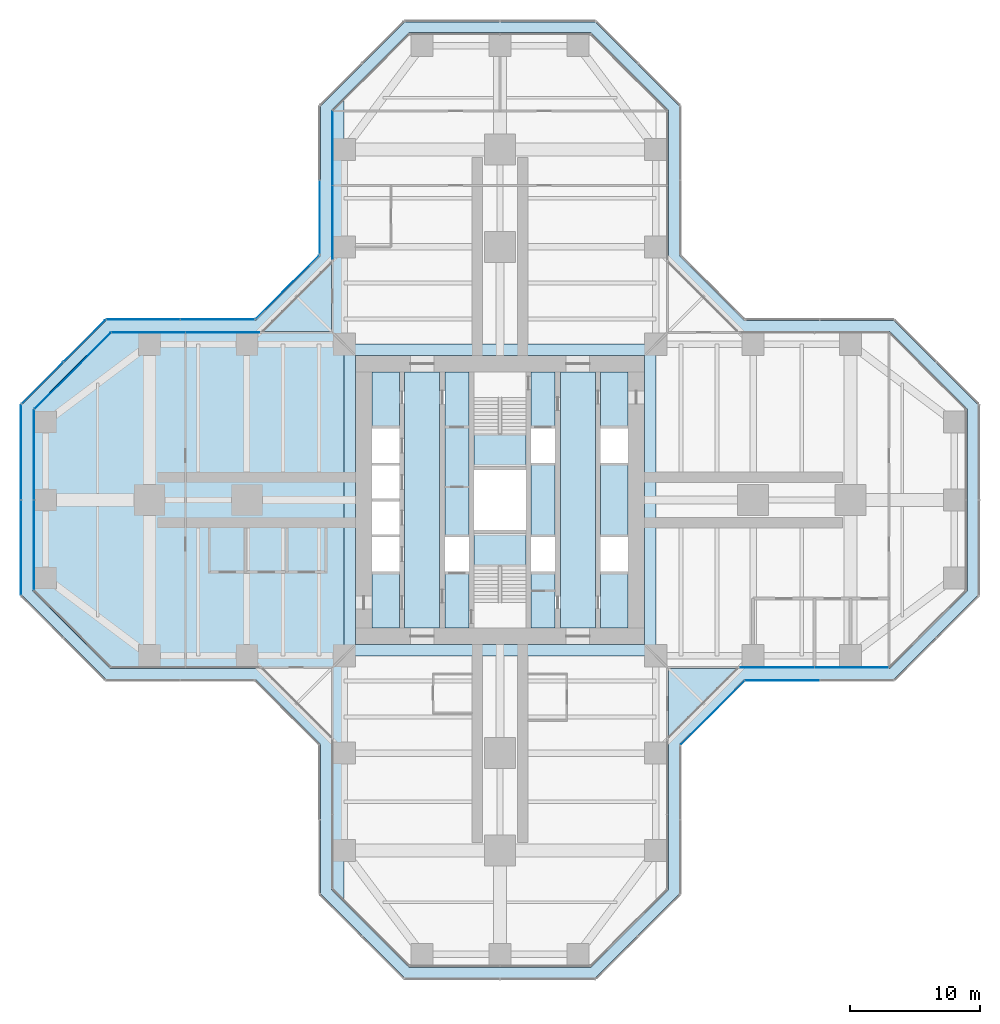
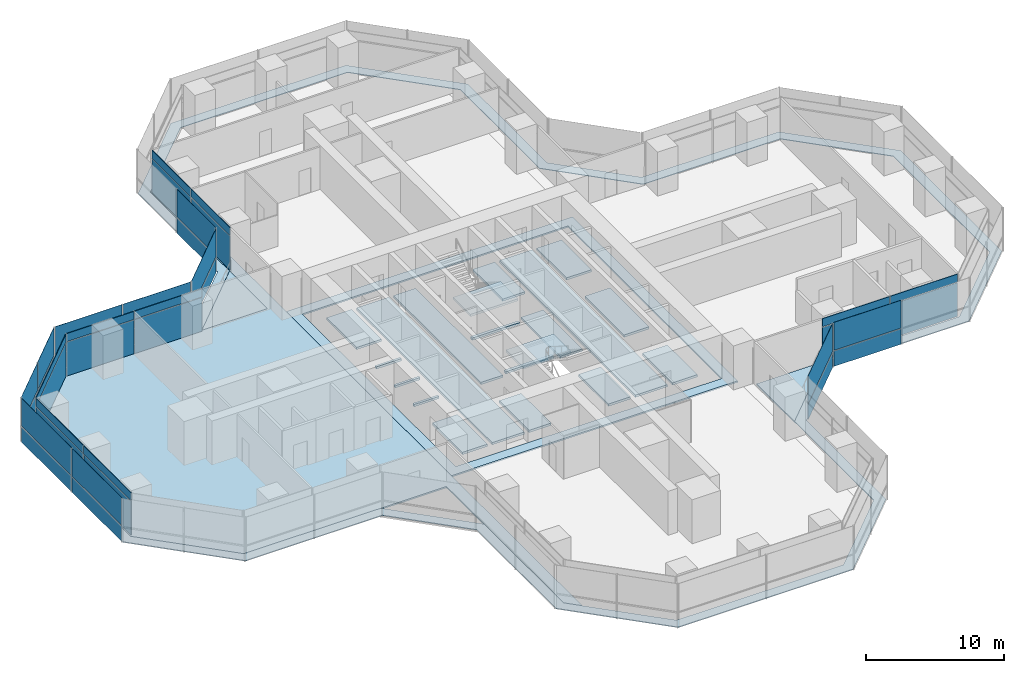
# One storey, part 15 of 22: 39 plates, 7 slabs, 14 elements without a shape of their own.
"""IFC4 building model written with IfcOpenShell, lengths in metres."""

from ifc_helpers import new_model, si_unit, direction, frame, origin, origin_2d, place, context, subcontext, project, spatial, polyline, rectangle, outline, extrude, material, layer, layer_set, type_object, element, aggregate, save


model = new_model("IFC4")

# Units and contexts
model_context = context("Model", 3, precision=1e-05, world=origin(), true_north=direction((0.0, 1.0)))
body_context = subcontext(model_context, "Body", "Model", "MODEL_VIEW")
ifc_project = project(units=[si_unit("LENGTHUNIT", "METRE"), si_unit("AREAUNIT", "SQUARE_METRE"), si_unit("VOLUMEUNIT", "CUBIC_METRE"), si_unit("PLANEANGLEUNIT", "RADIAN"), si_unit("MASSUNIT", "GRAM", prefix="KILO")], contexts=[model_context])

# Site, building, storey
site_placement = place(None, origin())
site = spatial("IfcSite", under=ifc_project, at=site_placement, CompositionType="ELEMENT")
building_placement = place(site_placement, origin())
building = spatial("IfcBuilding", under=site, at=building_placement, Name="Mizan Broadcast Tower", CompositionType="ELEMENT")
storey_placement = place(building_placement, frame((0.0, 0.0, 51.300048828125)))
storey = spatial("IfcBuildingStorey", under=building, at=storey_placement, Name="L09", CompositionType="ELEMENT", Elevation=51.300048828125)

# Plate
ifc_material_1 = material(Name="Aluminium grating", Category="aluminium")
ifc_layer_1 = layer(ifc_material_1, 0.050048828125)
ifc_layer_set_1 = layer_set([ifc_layer_1], Name="Aluminium grating")
plate_type_1 = type_object("IfcPlateType", Name="CAVITY GRATING", PredefinedType="USERDEFINED", material=ifc_layer_set_1)
plate_1_placement = place(storey_placement, frame((0.0, 0.0, -0.050048828125)))
element("IfcPlate", 1, at=plate_1_placement, inside=storey, type_object=plate_type_1, Name="Cavity grating L09", ObjectType="GRATING", PredefinedType="USERDEFINED", context=body_context, shape_type="SweptSolid", body=[
    extrude(outline(polyline([(13.820068359375, -18.839599609375), (18.839599609375, -13.820068359375), (30.339599609375, -13.820068359375), (36.820068359375, -7.339599609375), (36.820068359375, 7.339599609375), (30.339599609375, 13.820068359375), (18.839599609375, 13.820068359375), (13.820068359375, 18.839599609375), (13.820068359375, 30.339599609375), (7.339599609375, 36.820068359375), (-7.339599609375, 36.820068359375), (-13.820068359375, 30.339599609375), (-13.820068359375, 18.839599609375), (-18.839599609375, 13.820068359375), (-30.339599609375, 13.820068359375), (-36.820068359375, 7.339599609375), (-36.820068359375, -7.339599609375), (-30.339599609375, -13.820068359375), (-18.839599609375, -13.820068359375), (-13.820068359375, -18.839599609375), (-13.820068359375, -30.339599609375), (-7.339599609375, -36.820068359375), (7.339599609375, -36.820068359375), (13.820068359375, -30.339599609375), (13.820068359375, -18.839599609375)]), holes=[polyline([(36.0, 7.0), (36.0, -7.0), (30.0, -13.0), (18.5, -13.0), (13.0, -18.5), (13.0, -30.0), (7.0, -36.0), (-7.0, -36.0), (-13.0, -30.0), (-13.0, -18.5), (-18.5, -13.0), (-30.0, -13.0), (-36.0, -7.0), (-36.0, 7.0), (-30.0, 13.0), (-18.5, 13.0), (-13.0, 18.5), (-13.0, 30.0), (-7.0, 36.0), (7.0, 36.0), (13.0, 30.0), (13.0, 18.5), (18.5, 13.0), (30.0, 13.0), (36.0, 7.0)])]), origin(), (0.0, 0.0, 1.0), 0.050048828125),
])

# Slabs
ifc_material_2 = material(Name="Concrete C32/40", Category="concrete")
ifc_layer_2 = layer(ifc_material_2, 0.1298828125)
ifc_layer_set_2 = layer_set([ifc_layer_2], Name="Concrete C32/40")
slab_type_1 = type_object("IfcSlabType", Name="COMPOSITE DECK SLAB 130", PredefinedType="FLOOR", material=ifc_layer_set_2)
slab_1_placement = place(storey_placement, frame((0.0, 0.0, -0.130126953125)))
element("IfcSlab", 2, at=slab_1_placement, inside=storey, type_object=slab_type_1, Name="Floor slab L09 centre", PredefinedType="FLOOR", context=body_context, shape_type="SweptSolid", body=[
    extrude(outline(polyline([(-12.0, -12.0), (12.0, -12.0), (12.0, 12.0), (-12.0, 12.0), (-12.0, -12.0)]), holes=[polyline([(-11.14990234375, 11.14990234375), (11.14990234375, 11.14990234375), (11.14990234375, -11.14990234375), (-11.14990234375, -11.14990234375), (-11.14990234375, 11.14990234375)])]), origin(), (0.0, 0.0, 1.0), 0.130126953125),
])
slab_2_placement = place(storey_placement, frame((0.0, 0.0, -0.130126953125)))
element("IfcSlab", 3, at=slab_2_placement, inside=storey, type_object=slab_type_1, Name="Floor slab L09 west arm", PredefinedType="FLOOR", context=body_context, shape_type="SweptSolid", body=[
    extrude(outline(polyline([(-13.0, -30.0), (-12.0, -31.0), (-12.0, 31.0), (-13.0, 30.0), (-13.0, 13.0), (-30.0, 13.0), (-36.0, 7.0), (-36.0, -7.0), (-30.0, -13.0), (-13.0, -13.0), (-13.0, -30.0)])), origin(), (0.0, 0.0, 1.0), 0.130126953125),
])
ifc_material_3 = material(Name="Concrete C40/50", Category="concrete")
ifc_layer_3 = layer(ifc_material_3, 0.199951171875)
ifc_layer_set_3 = layer_set([ifc_layer_3], Name="Concrete C40/50")
slab_type_2 = type_object("IfcSlabType", Name="CORE FLOOR 200", PredefinedType="FLOOR", material=ifc_layer_set_3)
slab_3_placement = place(storey_placement, frame((0.0, 0.0, -0.199951171875)))
element("IfcSlab", 4, at=slab_3_placement, inside=storey, type_object=slab_type_2, Name="Core floor L09", PredefinedType="FLOOR", context=body_context, shape_type="SweptSolid", body=[
    extrude(outline(polyline([(-9.85009765625, -9.85009765625), (-7.75, -9.85009765625), (-7.75, -5.5), (-9.85009765625, -5.5), (-9.85009765625, -9.85009765625)])), origin(), (0.0, 0.0, 1.0), 0.199951171875),
    extrude(outline(polyline([(-9.85009765625, -2.85009765625), (-7.75, -2.85009765625), (-7.75, -2.64990234375), (-9.85009765625, -2.64990234375), (-9.85009765625, -2.85009765625)])), origin(), (0.0, 0.0, 1.0), 0.199951171875),
    extrude(outline(polyline([(-9.85009765625, -0.10009765625), (-7.75, -0.10009765625), (-7.75, 0.10009765625), (-9.85009765625, 0.10009765625), (-9.85009765625, -0.10009765625)])), origin(), (0.0, 0.0, 1.0), 0.199951171875),
    extrude(outline(polyline([(-9.85009765625, 2.64990234375), (-7.75, 2.64990234375), (-7.75, 2.85009765625), (-9.85009765625, 2.85009765625), (-9.85009765625, 2.64990234375)])), origin(), (0.0, 0.0, 1.0), 0.199951171875),
    extrude(outline(polyline([(-9.85009765625, 5.5), (-7.75, 5.5), (-7.75, 9.85009765625), (-9.85009765625, 9.85009765625), (-9.85009765625, 5.5)])), origin(), (0.0, 0.0, 1.0), 0.199951171875),
    extrude(outline(polyline([(-4.64990234375, 9.85009765625), (-7.35009765625, 9.85009765625), (-7.35009765625, -9.85009765625), (-4.64990234375, -9.85009765625), (-4.64990234375, 9.85009765625)])), origin(), (0.0, 0.0, 1.0), 0.199951171875),
    extrude(outline(polyline([(-4.25, -5.5), (-4.25, -9.85009765625), (-2.39990234375, -9.85009765625), (-2.39990234375, -5.5), (-4.25, -5.5)])), origin(), (0.0, 0.0, 1.0), 0.199951171875),
    extrude(outline(polyline([(-4.25, -2.85009765625), (-2.39990234375, -2.85009765625), (-2.39990234375, 9.85009765625), (-4.25, 9.85009765625), (-4.25, -2.85009765625)])), origin(), (0.0, 0.0, 1.0), 0.199951171875),
    extrude(outline(polyline([(2.0, -2.324951171875), (-2.0, -2.324951171875), (-2.0, -2.574951171875), (2.0, -2.574951171875), (2.0, -2.324951171875)])), origin(), (0.0, 0.0, 1.0), 0.199951171875),
    extrude(outline(polyline([(2.0, 2.574951171875), (-2.0, 2.574951171875), (-2.0, 2.324951171875), (2.0, 2.324951171875), (2.0, 2.574951171875)])), origin(), (0.0, 0.0, 1.0), 0.199951171875),
    extrude(outline(polyline([(4.25, -9.85009765625), (4.25, -5.5), (2.39990234375, -5.5), (2.39990234375, -9.85009765625), (4.25, -9.85009765625)])), origin(), (0.0, 0.0, 1.0), 0.199951171875),
    extrude(outline(polyline([(4.25, -2.85009765625), (4.25, 2.85009765625), (2.39990234375, 2.85009765625), (2.39990234375, -2.85009765625), (4.25, -2.85009765625)])), origin(), (0.0, 0.0, 1.0), 0.199951171875),
    extrude(outline(polyline([(4.25, 5.5), (4.25, 9.85009765625), (2.39990234375, 9.85009765625), (2.39990234375, 5.5), (4.25, 5.5)])), origin(), (0.0, 0.0, 1.0), 0.199951171875),
    extrude(outline(polyline([(4.64990234375, 9.85009765625), (4.64990234375, -9.85009765625), (7.35009765625, -9.85009765625), (7.35009765625, 9.85009765625), (4.64990234375, 9.85009765625)])), origin(), (0.0, 0.0, 1.0), 0.199951171875),
    extrude(outline(polyline([(9.85009765625, -9.85009765625), (9.85009765625, -5.5), (7.75, -5.5), (7.75, -9.85009765625), (9.85009765625, -9.85009765625)])), origin(), (0.0, 0.0, 1.0), 0.199951171875),
    extrude(outline(polyline([(7.75, 2.85009765625), (7.75, -2.85009765625), (9.85009765625, -2.85009765625), (9.85009765625, 2.85009765625), (7.75, 2.85009765625)])), origin(), (0.0, 0.0, 1.0), 0.199951171875),
    extrude(outline(polyline([(9.85009765625, 5.5), (9.85009765625, 9.85009765625), (7.75, 9.85009765625), (7.75, 5.5), (9.85009765625, 5.5)])), origin(), (0.0, 0.0, 1.0), 0.199951171875),
])

# Curtain wall, plates
ifc_material_4 = material(Name="Aluminium framed glazing", Category="aluminium")
curtain_wall_type_1 = type_object("IfcCurtainWallType", Name="INNER SKIN LOW ZONE", PredefinedType="USERDEFINED", material=ifc_material_4)
curtain_wall_1_placement = place(storey_placement, origin())
curtain_wall_1 = element("IfcCurtainWall", 5, at=curtain_wall_1_placement, inside=storey, type_object=curtain_wall_type_1, Name="Inner skin low zone L09 E side", ObjectType="INNER SKIN LOW ZONE", PredefinedType="USERDEFINED")
ifc_material_5 = material(Name="Double glazing, clear low-e", Category="glass")
ifc_layer_4 = layer(ifc_material_5, 0.028076171875)
ifc_layer_set_4 = layer_set([ifc_layer_4], Name="Double glazing, clear low-e")
plate_type_2 = type_object("IfcPlateType", Name="INNER SKIN GLAZING UNIT", PredefinedType="CURTAIN_PANEL", material=ifc_layer_set_4)
plate_2_placement = place(storey_placement, frame((21.379638671875, -12.89990234375, 0.0), z_axis=(0.0, 0.0, 1.0), x_axis=(1.0, 0.0, 0.0)))
plate_2 = element("IfcPlate", 6, at=plate_2_placement, type_object=plate_type_2, Name="Inner skin low zone L09 E side panel 1.1", PredefinedType="CURTAIN_PANEL", context=body_context, shape_type="SweptSolid", body=[
    extrude(rectangle(XDim=5.639404296875, YDim=0.028076171875, at=origin_2d()), origin(), (0.0, 0.0, 1.0), 3.0),
])
plate_3_placement = place(storey_placement, frame((27.078857421875, -12.89990234375, 0.0), z_axis=(0.0, 0.0, 1.0), x_axis=(1.0, 0.0, 0.0)))
plate_3 = element("IfcPlate", 7, at=plate_3_placement, type_object=plate_type_2, Name="Inner skin low zone L09 E side panel 2.1", PredefinedType="CURTAIN_PANEL", context=body_context, shape_type="SweptSolid", body=[
    extrude(rectangle(XDim=5.639404296875, YDim=0.028076171875, at=origin_2d()), origin(), (0.0, 0.0, 1.0), 3.0),
])

curtain_wall_2_placement = place(storey_placement, origin())
curtain_wall_2 = element("IfcCurtainWall", 8, at=curtain_wall_2_placement, inside=storey, type_object=curtain_wall_type_1, Name="Inner skin low zone L09 N side", ObjectType="INNER SKIN LOW ZONE", PredefinedType="USERDEFINED")
plate_4_placement = place(storey_placement, frame((-12.89990234375, 27.078857421875, 0.0), z_axis=(0.0, 0.0, 1.0), x_axis=(0.0, -1.0, 0.0)))
plate_4 = element("IfcPlate", 9, at=plate_4_placement, type_object=plate_type_2, Name="Inner skin low zone L09 N side panel 1.1", PredefinedType="CURTAIN_PANEL", context=body_context, shape_type="SweptSolid", body=[
    extrude(rectangle(XDim=5.639404296875, YDim=0.028076171875, at=origin_2d()), origin(), (0.0, 0.0, 1.0), 3.0),
])
plate_5_placement = place(storey_placement, frame((-12.89990234375, 21.379638671875, 0.0), z_axis=(0.0, 0.0, 1.0), x_axis=(0.0, -1.0, 0.0)))
plate_5 = element("IfcPlate", 10, at=plate_5_placement, type_object=plate_type_2, Name="Inner skin low zone L09 N side panel 2.1", PredefinedType="CURTAIN_PANEL", context=body_context, shape_type="SweptSolid", body=[
    extrude(rectangle(XDim=5.639404296875, YDim=0.028076171875, at=origin_2d()), origin(), (0.0, 0.0, 1.0), 3.0),
])

curtain_wall_3_placement = place(storey_placement, origin())
curtain_wall_3 = element("IfcCurtainWall", 11, at=curtain_wall_3_placement, inside=storey, type_object=curtain_wall_type_1, Name="Inner skin low zone L09 W side", ObjectType="INNER SKIN LOW ZONE", PredefinedType="USERDEFINED")
plate_6_placement = place(storey_placement, frame((-21.379638671875, 12.89990234375, 0.0), z_axis=(0.0, 0.0, 1.0), x_axis=(-1.0, 0.0, 0.0)))
plate_6 = element("IfcPlate", 12, at=plate_6_placement, type_object=plate_type_2, Name="Inner skin low zone L09 W side panel 1.1", PredefinedType="CURTAIN_PANEL", context=body_context, shape_type="SweptSolid", body=[
    extrude(rectangle(XDim=5.639404296875, YDim=0.028076171875, at=origin_2d()), origin(), (0.0, 0.0, 1.0), 3.0),
])
plate_7_placement = place(storey_placement, frame((-27.078857421875, 12.89990234375, 0.0), z_axis=(0.0, 0.0, 1.0), x_axis=(-1.0, 0.0, 0.0)))
plate_7 = element("IfcPlate", 13, at=plate_7_placement, type_object=plate_type_2, Name="Inner skin low zone L09 W side panel 2.1", PredefinedType="CURTAIN_PANEL", context=body_context, shape_type="SweptSolid", body=[
    extrude(rectangle(XDim=5.639404296875, YDim=0.028076171875, at=origin_2d()), origin(), (0.0, 0.0, 1.0), 3.0),
])

# Curtain wall, plate
curtain_wall_4_placement = place(storey_placement, origin())
curtain_wall_4 = element("IfcCurtainWall", 14, at=curtain_wall_4_placement, inside=storey, type_object=curtain_wall_type_1, Name="Inner skin low zone L09 W chamfer", ObjectType="INNER SKIN LOW ZONE", PredefinedType="USERDEFINED")
plate_8_placement = place(storey_placement, frame((-32.92919921875, 9.92919921875, 0.0), z_axis=(0.0, 0.0, 1.0), x_axis=(-0.707106781187, -0.707106781187, 0.0)))
plate_8 = element("IfcPlate", 15, at=plate_8_placement, type_object=plate_type_2, Name="Inner skin low zone L09 W chamfer panel 1.1", PredefinedType="CURTAIN_PANEL", context=body_context, shape_type="SweptSolid", body=[
    extrude(rectangle(XDim=8.282470703125, YDim=0.028076171875, at=origin_2d()), origin(), (0.0, 0.0, 1.0), 3.0),
])

# Curtain wall, plates
curtain_wall_5_placement = place(storey_placement, origin())
curtain_wall_5 = element("IfcCurtainWall", 16, at=curtain_wall_5_placement, inside=storey, type_object=curtain_wall_type_1, Name="Inner skin low zone L09 W end", ObjectType="INNER SKIN LOW ZONE", PredefinedType="USERDEFINED")
plate_9_placement = place(storey_placement, frame((-35.89990234375, 3.46435546875, 0.0), z_axis=(0.0, 0.0, 1.0), x_axis=(0.0, -1.0, 0.0)))
plate_9 = element("IfcPlate", 17, at=plate_9_placement, type_object=plate_type_2, Name="Inner skin low zone L09 W end panel 1.1", PredefinedType="CURTAIN_PANEL", context=body_context, shape_type="SweptSolid", body=[
    extrude(rectangle(XDim=6.86865234375, YDim=0.028076171875, at=origin_2d()), origin(), (0.0, 0.0, 1.0), 3.0),
])
plate_10_placement = place(storey_placement, frame((-35.89990234375, -3.46435546875, 0.0), z_axis=(0.0, 0.0, 1.0), x_axis=(0.0, -1.0, 0.0)))
plate_10 = element("IfcPlate", 18, at=plate_10_placement, type_object=plate_type_2, Name="Inner skin low zone L09 W end panel 2.1", PredefinedType="CURTAIN_PANEL", context=body_context, shape_type="SweptSolid", body=[
    extrude(rectangle(XDim=6.86865234375, YDim=0.028076171875, at=origin_2d()), origin(), (0.0, 0.0, 1.0), 3.0),
])

# Plate
ifc_material_6 = material(Name="Insulated aluminium spandrel panel, pale anodised", Category="aluminium")
ifc_layer_5 = layer(ifc_material_6, 0.050048828125)
ifc_layer_set_5 = layer_set([ifc_layer_5], Name="Insulated aluminium spandrel panel, pale anodised")
plate_type_3 = type_object("IfcPlateType", Name="INNER SKIN SPANDREL PANEL", PredefinedType="CURTAIN_PANEL", material=ifc_layer_set_5)
plate_11_placement = place(storey_placement, frame((21.379638671875, -12.89990234375, 3.06005859375), z_axis=(0.0, 0.0, 1.0), x_axis=(1.0, 0.0, 0.0)))
plate_11 = element("IfcPlate", 19, at=plate_11_placement, type_object=plate_type_3, Name="Inner skin low zone L09 E side panel 1.2", PredefinedType="CURTAIN_PANEL", context=body_context, shape_type="SweptSolid", body=[
    extrude(rectangle(XDim=5.639404296875, YDim=0.050048828125, at=origin_2d()), origin(), (0.0, 0.0, 1.0), 0.7099609375),
])

plate_12_placement = place(storey_placement, frame((27.078857421875, -12.89990234375, 3.06005859375), z_axis=(0.0, 0.0, 1.0), x_axis=(1.0, 0.0, 0.0)))
plate_12 = element("IfcPlate", 20, at=plate_12_placement, type_object=plate_type_3, Name="Inner skin low zone L09 E side panel 2.2", PredefinedType="CURTAIN_PANEL", context=body_context, shape_type="SweptSolid", body=[
    extrude(rectangle(XDim=5.639404296875, YDim=0.050048828125, at=origin_2d()), origin(), (0.0, 0.0, 1.0), 0.7099609375),
])

aggregate(curtain_wall_1, [plate_2, plate_11, plate_3, plate_12])

plate_13_placement = place(storey_placement, frame((-12.89990234375, 27.078857421875, 3.06005859375), z_axis=(0.0, 0.0, 1.0), x_axis=(0.0, -1.0, 0.0)))
plate_13 = element("IfcPlate", 21, at=plate_13_placement, type_object=plate_type_3, Name="Inner skin low zone L09 N side panel 1.2", PredefinedType="CURTAIN_PANEL", context=body_context, shape_type="SweptSolid", body=[
    extrude(rectangle(XDim=5.639404296875, YDim=0.050048828125, at=origin_2d()), origin(), (0.0, 0.0, 1.0), 0.7099609375),
])

plate_14_placement = place(storey_placement, frame((-12.89990234375, 21.379638671875, 3.06005859375), z_axis=(0.0, 0.0, 1.0), x_axis=(0.0, -1.0, 0.0)))
plate_14 = element("IfcPlate", 22, at=plate_14_placement, type_object=plate_type_3, Name="Inner skin low zone L09 N side panel 2.2", PredefinedType="CURTAIN_PANEL", context=body_context, shape_type="SweptSolid", body=[
    extrude(rectangle(XDim=5.639404296875, YDim=0.050048828125, at=origin_2d()), origin(), (0.0, 0.0, 1.0), 0.7099609375),
])

aggregate(curtain_wall_2, [plate_4, plate_13, plate_5, plate_14])

plate_15_placement = place(storey_placement, frame((-21.379638671875, 12.89990234375, 3.06005859375), z_axis=(0.0, 0.0, 1.0), x_axis=(-1.0, 0.0, 0.0)))
plate_15 = element("IfcPlate", 23, at=plate_15_placement, type_object=plate_type_3, Name="Inner skin low zone L09 W side panel 1.2", PredefinedType="CURTAIN_PANEL", context=body_context, shape_type="SweptSolid", body=[
    extrude(rectangle(XDim=5.639404296875, YDim=0.050048828125, at=origin_2d()), origin(), (0.0, 0.0, 1.0), 0.7099609375),
])

plate_16_placement = place(storey_placement, frame((-27.078857421875, 12.89990234375, 3.06005859375), z_axis=(0.0, 0.0, 1.0), x_axis=(-1.0, 0.0, 0.0)))
plate_16 = element("IfcPlate", 24, at=plate_16_placement, type_object=plate_type_3, Name="Inner skin low zone L09 W side panel 2.2", PredefinedType="CURTAIN_PANEL", context=body_context, shape_type="SweptSolid", body=[
    extrude(rectangle(XDim=5.639404296875, YDim=0.050048828125, at=origin_2d()), origin(), (0.0, 0.0, 1.0), 0.7099609375),
])

aggregate(curtain_wall_3, [plate_6, plate_15, plate_7, plate_16])

plate_17_placement = place(storey_placement, frame((-32.92919921875, 9.92919921875, 3.06005859375), z_axis=(0.0, 0.0, 1.0), x_axis=(-0.707106781187, -0.707106781187, 0.0)))
plate_17 = element("IfcPlate", 25, at=plate_17_placement, type_object=plate_type_3, Name="Inner skin low zone L09 W chamfer panel 1.2", PredefinedType="CURTAIN_PANEL", context=body_context, shape_type="SweptSolid", body=[
    extrude(rectangle(XDim=8.282470703125, YDim=0.050048828125, at=origin_2d()), origin(), (0.0, 0.0, 1.0), 0.7099609375),
])

aggregate(curtain_wall_4, [plate_8, plate_17])

plate_18_placement = place(storey_placement, frame((-35.89990234375, 3.46435546875, 3.06005859375), z_axis=(0.0, 0.0, 1.0), x_axis=(0.0, -1.0, 0.0)))
plate_18 = element("IfcPlate", 26, at=plate_18_placement, type_object=plate_type_3, Name="Inner skin low zone L09 W end panel 1.2", PredefinedType="CURTAIN_PANEL", context=body_context, shape_type="SweptSolid", body=[
    extrude(rectangle(XDim=6.86865234375, YDim=0.050048828125, at=origin_2d()), origin(), (0.0, 0.0, 1.0), 0.7099609375),
])

plate_19_placement = place(storey_placement, frame((-35.89990234375, -3.46435546875, 3.06005859375), z_axis=(0.0, 0.0, 1.0), x_axis=(0.0, -1.0, 0.0)))
plate_19 = element("IfcPlate", 27, at=plate_19_placement, type_object=plate_type_3, Name="Inner skin low zone L09 W end panel 2.2", PredefinedType="CURTAIN_PANEL", context=body_context, shape_type="SweptSolid", body=[
    extrude(rectangle(XDim=6.86865234375, YDim=0.050048828125, at=origin_2d()), origin(), (0.0, 0.0, 1.0), 0.7099609375),
])

aggregate(curtain_wall_5, [plate_9, plate_18, plate_10, plate_19])

# Curtain wall, plates
ifc_material_7 = material(Name="Aluminium framed glazing", Category="aluminium")
curtain_wall_type_2 = type_object("IfcCurtainWallType", Name="OUTER SKIN", PredefinedType="USERDEFINED", material=ifc_material_7)
curtain_wall_6_placement = place(storey_placement, origin())
curtain_wall_6 = element("IfcCurtainWall", 28, at=curtain_wall_6_placement, inside=storey, type_object=curtain_wall_type_2, Name="Outer skin L09 W chamfer", ObjectType="OUTER SKIN", PredefinedType="USERDEFINED")
ifc_material_8 = material(Name="Laminated clear glass", Category="glass")
ifc_layer_6 = layer(ifc_material_8, 0.02001953125)
ifc_layer_set_6 = layer_set([ifc_layer_6], Name="Laminated clear glass")
plate_type_4 = type_object("IfcPlateType", Name="OUTER SKIN CLEAR GLASS", PredefinedType="CURTAIN_PANEL", material=ifc_layer_set_6)
plate_20_placement = place(storey_placement, frame((-16.386474609375, 16.386474609375, 0.0), z_axis=(0.0, 0.0, 1.0), x_axis=(-0.707106781187, -0.707106781187, 0.0)))
plate_20 = element("IfcPlate", 29, at=plate_20_placement, type_object=plate_type_4, Name="Outer skin L09 W chamfer panel 1.1", PredefinedType="CURTAIN_PANEL", context=body_context, shape_type="SweptSolid", body=[
    extrude(rectangle(XDim=6.87255859375, YDim=0.02001953125, at=origin_2d()), origin(), (0.0, 0.0, 1.0), 1.3701171875),
])
plate_21_placement = place(storey_placement, frame((-16.386474609375, 16.386474609375, 1.43017578125), z_axis=(0.0, 0.0, 1.0), x_axis=(-0.707106781187, -0.707106781187, 0.0)))
plate_21 = element("IfcPlate", 30, at=plate_21_placement, type_object=plate_type_4, Name="Outer skin L09 W chamfer panel 1.2", PredefinedType="CURTAIN_PANEL", context=body_context, shape_type="SweptSolid", body=[
    extrude(rectangle(XDim=6.87255859375, YDim=0.02001953125, at=origin_2d()), origin(), (0.0, 0.0, 1.0), 2.469970703125),
])
aggregate(curtain_wall_6, [plate_20, plate_21])

curtain_wall_7_placement = place(storey_placement, origin())
curtain_wall_7 = element("IfcCurtainWall", 31, at=curtain_wall_7_placement, inside=storey, type_object=curtain_wall_type_2, Name="Outer skin L09 W side", ObjectType="OUTER SKIN", PredefinedType="USERDEFINED")
plate_22_placement = place(storey_placement, frame((-21.767822265625, 13.89990234375, 0.0), z_axis=(0.0, 0.0, 1.0), x_axis=(-1.0, 0.0, 0.0)))
plate_22 = element("IfcPlate", 32, at=plate_22_placement, type_object=plate_type_4, Name="Outer skin L09 W side panel 1.1", PredefinedType="CURTAIN_PANEL", context=body_context, shape_type="SweptSolid", body=[
    extrude(rectangle(XDim=5.6298828125, YDim=0.02001953125, at=origin_2d()), origin(), (0.0, 0.0, 1.0), 1.3701171875),
])
plate_23_placement = place(storey_placement, frame((-21.767822265625, 13.89990234375, 1.43017578125), z_axis=(0.0, 0.0, 1.0), x_axis=(-1.0, 0.0, 0.0)))
plate_23 = element("IfcPlate", 33, at=plate_23_placement, type_object=plate_type_4, Name="Outer skin L09 W side panel 1.2", PredefinedType="CURTAIN_PANEL", context=body_context, shape_type="SweptSolid", body=[
    extrude(rectangle(XDim=5.6298828125, YDim=0.02001953125, at=origin_2d()), origin(), (0.0, 0.0, 1.0), 2.469970703125),
])
plate_24_placement = place(storey_placement, frame((-27.477783203125, 13.89990234375, 0.0), z_axis=(0.0, 0.0, 1.0), x_axis=(-1.0, 0.0, 0.0)))
plate_24 = element("IfcPlate", 34, at=plate_24_placement, type_object=plate_type_4, Name="Outer skin L09 W side panel 2.1", PredefinedType="CURTAIN_PANEL", context=body_context, shape_type="SweptSolid", body=[
    extrude(rectangle(XDim=5.6298828125, YDim=0.02001953125, at=origin_2d()), origin(), (0.0, 0.0, 1.0), 1.3701171875),
])
plate_25_placement = place(storey_placement, frame((-27.477783203125, 13.89990234375, 1.43017578125), z_axis=(0.0, 0.0, 1.0), x_axis=(-1.0, 0.0, 0.0)))
plate_25 = element("IfcPlate", 35, at=plate_25_placement, type_object=plate_type_4, Name="Outer skin L09 W side panel 2.2", PredefinedType="CURTAIN_PANEL", context=body_context, shape_type="SweptSolid", body=[
    extrude(rectangle(XDim=5.6298828125, YDim=0.02001953125, at=origin_2d()), origin(), (0.0, 0.0, 1.0), 2.469970703125),
])
aggregate(curtain_wall_7, [plate_22, plate_23, plate_24, plate_25])

curtain_wall_8_placement = place(storey_placement, origin())
curtain_wall_8 = element("IfcCurtainWall", 36, at=curtain_wall_8_placement, inside=storey, type_object=curtain_wall_type_2, Name="Outer skin L09 W chamfer", ObjectType="OUTER SKIN", PredefinedType="USERDEFINED")
plate_26_placement = place(storey_placement, frame((-32.018798828125, 12.254150390625, 0.0), z_axis=(0.0, 0.0, 1.0), x_axis=(-0.707106781187, -0.707106781187, 0.0)))
plate_26 = element("IfcPlate", 37, at=plate_26_placement, type_object=plate_type_4, Name="Outer skin L09 W chamfer panel 1.1", PredefinedType="CURTAIN_PANEL", context=body_context, shape_type="SweptSolid", body=[
    extrude(rectangle(XDim=4.495361328125, YDim=0.02001953125, at=origin_2d()), origin(), (0.0, 0.0, 1.0), 1.3701171875),
])
plate_27_placement = place(storey_placement, frame((-32.018798828125, 12.254150390625, 1.43017578125), z_axis=(0.0, 0.0, 1.0), x_axis=(-0.707106781187, -0.707106781187, 0.0)))
plate_27 = element("IfcPlate", 38, at=plate_27_placement, type_object=plate_type_4, Name="Outer skin L09 W chamfer panel 1.2", PredefinedType="CURTAIN_PANEL", context=body_context, shape_type="SweptSolid", body=[
    extrude(rectangle(XDim=4.495361328125, YDim=0.02001953125, at=origin_2d()), origin(), (0.0, 0.0, 1.0), 2.469970703125),
])

curtain_wall_9_placement = place(storey_placement, origin())
curtain_wall_9 = element("IfcCurtainWall", 39, at=curtain_wall_9_placement, inside=storey, type_object=curtain_wall_type_2, Name="Outer skin L09 W end", ObjectType="OUTER SKIN", PredefinedType="USERDEFINED")
plate_28_placement = place(storey_placement, frame((-36.89990234375, 3.66650390625, 0.0), z_axis=(0.0, 0.0, 1.0), x_axis=(0.0, -1.0, 0.0)))
plate_28 = element("IfcPlate", 40, at=plate_28_placement, type_object=plate_type_4, Name="Outer skin L09 W end panel 1.1", PredefinedType="CURTAIN_PANEL", context=body_context, shape_type="SweptSolid", body=[
    extrude(rectangle(XDim=7.252685546875, YDim=0.02001953125, at=origin_2d()), origin(), (0.0, 0.0, 1.0), 1.3701171875),
])
plate_29_placement = place(storey_placement, frame((-36.89990234375, 3.66650390625, 1.43017578125), z_axis=(0.0, 0.0, 1.0), x_axis=(0.0, -1.0, 0.0)))
plate_29 = element("IfcPlate", 41, at=plate_29_placement, type_object=plate_type_4, Name="Outer skin L09 W end panel 1.2", PredefinedType="CURTAIN_PANEL", context=body_context, shape_type="SweptSolid", body=[
    extrude(rectangle(XDim=7.252685546875, YDim=0.02001953125, at=origin_2d()), origin(), (0.0, 0.0, 1.0), 2.469970703125),
])

curtain_wall_10_placement = place(storey_placement, origin())
curtain_wall_10 = element("IfcCurtainWall", 42, at=curtain_wall_10_placement, inside=storey, type_object=curtain_wall_type_2, Name="Outer skin L09 E chamfer", ObjectType="OUTER SKIN", PredefinedType="USERDEFINED")
plate_30_placement = place(storey_placement, frame((16.386474609375, -16.386474609375, 0.0), z_axis=(0.0, 0.0, 1.0), x_axis=(0.707106781187, 0.707106781187, 0.0)))
plate_30 = element("IfcPlate", 43, at=plate_30_placement, type_object=plate_type_4, Name="Outer skin L09 E chamfer panel 1.1", PredefinedType="CURTAIN_PANEL", context=body_context, shape_type="SweptSolid", body=[
    extrude(rectangle(XDim=6.87255859375, YDim=0.02001953125, at=origin_2d()), origin(), (0.0, 0.0, 1.0), 1.3701171875),
])
plate_31_placement = place(storey_placement, frame((16.386474609375, -16.386474609375, 1.43017578125), z_axis=(0.0, 0.0, 1.0), x_axis=(0.707106781187, 0.707106781187, 0.0)))
plate_31 = element("IfcPlate", 44, at=plate_31_placement, type_object=plate_type_4, Name="Outer skin L09 E chamfer panel 1.2", PredefinedType="CURTAIN_PANEL", context=body_context, shape_type="SweptSolid", body=[
    extrude(rectangle(XDim=6.87255859375, YDim=0.02001953125, at=origin_2d()), origin(), (0.0, 0.0, 1.0), 2.469970703125),
])
aggregate(curtain_wall_10, [plate_30, plate_31])

curtain_wall_11_placement = place(storey_placement, origin())
curtain_wall_11 = element("IfcCurtainWall", 45, at=curtain_wall_11_placement, inside=storey, type_object=curtain_wall_type_2, Name="Outer skin L09 E side", ObjectType="OUTER SKIN", PredefinedType="USERDEFINED")
plate_32_placement = place(storey_placement, frame((21.767822265625, -13.89990234375, 0.0), z_axis=(0.0, 0.0, 1.0), x_axis=(1.0, 0.0, 0.0)))
plate_32 = element("IfcPlate", 46, at=plate_32_placement, type_object=plate_type_4, Name="Outer skin L09 E side panel 1.1", PredefinedType="CURTAIN_PANEL", context=body_context, shape_type="SweptSolid", body=[
    extrude(rectangle(XDim=5.6298828125, YDim=0.02001953125, at=origin_2d()), origin(), (0.0, 0.0, 1.0), 1.3701171875),
])
plate_33_placement = place(storey_placement, frame((21.767822265625, -13.89990234375, 1.43017578125), z_axis=(0.0, 0.0, 1.0), x_axis=(1.0, 0.0, 0.0)))
plate_33 = element("IfcPlate", 47, at=plate_33_placement, type_object=plate_type_4, Name="Outer skin L09 E side panel 1.2", PredefinedType="CURTAIN_PANEL", context=body_context, shape_type="SweptSolid", body=[
    extrude(rectangle(XDim=5.6298828125, YDim=0.02001953125, at=origin_2d()), origin(), (0.0, 0.0, 1.0), 2.469970703125),
])
aggregate(curtain_wall_11, [plate_32, plate_33])

curtain_wall_12_placement = place(storey_placement, origin())
curtain_wall_12 = element("IfcCurtainWall", 48, at=curtain_wall_12_placement, inside=storey, type_object=curtain_wall_type_2, Name="Outer skin L09 N side", ObjectType="OUTER SKIN", PredefinedType="USERDEFINED")
ifc_material_9 = material(Name="Perforated aluminium, pale anodised", Category="aluminium")
ifc_layer_7 = layer(ifc_material_9, 0.011962890625)
ifc_layer_set_7 = layer_set([ifc_layer_7], Name="Perforated aluminium, pale anodised")
plate_type_5 = type_object("IfcPlateType", Name="OUTER SKIN PERFORATED SCREEN", PredefinedType="USERDEFINED", material=ifc_layer_set_7)
plate_34_placement = place(storey_placement, frame((-13.89990234375, 21.767822265625, 0.0), z_axis=(0.0, 0.0, 1.0), x_axis=(0.0, -1.0, 0.0)))
plate_34 = element("IfcPlate", 49, at=plate_34_placement, type_object=plate_type_5, Name="Outer skin L09 N side panel 2.1", ObjectType="SCREEN", PredefinedType="USERDEFINED", context=body_context, shape_type="SweptSolid", body=[
    extrude(rectangle(XDim=5.6298828125, YDim=0.011962890625, at=origin_2d()), origin(), (0.0, 0.0, 1.0), 1.3701171875),
])
plate_35_placement = place(storey_placement, frame((-13.89990234375, 21.767822265625, 1.43017578125), z_axis=(0.0, 0.0, 1.0), x_axis=(0.0, -1.0, 0.0)))
plate_35 = element("IfcPlate", 50, at=plate_35_placement, type_object=plate_type_5, Name="Outer skin L09 N side panel 2.2", ObjectType="SCREEN", PredefinedType="USERDEFINED", context=body_context, shape_type="SweptSolid", body=[
    extrude(rectangle(XDim=5.6298828125, YDim=0.011962890625, at=origin_2d()), origin(), (0.0, 0.0, 1.0), 2.469970703125),
])
aggregate(curtain_wall_12, [plate_34, plate_35])

# Plate
plate_36_placement = place(storey_placement, frame((-35.254150390625, 9.018798828125, 0.0), z_axis=(0.0, 0.0, 1.0), x_axis=(-0.707106781187, -0.707106781187, 0.0)))
plate_36 = element("IfcPlate", 51, at=plate_36_placement, type_object=plate_type_5, Name="Outer skin L09 W chamfer panel 2.1", ObjectType="SCREEN", PredefinedType="USERDEFINED", context=body_context, shape_type="SweptSolid", body=[
    extrude(rectangle(XDim=4.495361328125, YDim=0.011962890625, at=origin_2d()), origin(), (0.0, 0.0, 1.0), 1.3701171875),
])

plate_37_placement = place(storey_placement, frame((-35.254150390625, 9.018798828125, 1.43017578125), z_axis=(0.0, 0.0, 1.0), x_axis=(-0.707106781187, -0.707106781187, 0.0)))
plate_37 = element("IfcPlate", 52, at=plate_37_placement, type_object=plate_type_5, Name="Outer skin L09 W chamfer panel 2.2", ObjectType="SCREEN", PredefinedType="USERDEFINED", context=body_context, shape_type="SweptSolid", body=[
    extrude(rectangle(XDim=4.495361328125, YDim=0.011962890625, at=origin_2d()), origin(), (0.0, 0.0, 1.0), 2.469970703125),
])

aggregate(curtain_wall_8, [plate_26, plate_27, plate_36, plate_37])

plate_38_placement = place(storey_placement, frame((-36.89990234375, -3.66650390625, 0.0), z_axis=(0.0, 0.0, 1.0), x_axis=(0.0, -1.0, 0.0)))
plate_38 = element("IfcPlate", 53, at=plate_38_placement, type_object=plate_type_5, Name="Outer skin L09 W end panel 2.1", ObjectType="SCREEN", PredefinedType="USERDEFINED", context=body_context, shape_type="SweptSolid", body=[
    extrude(rectangle(XDim=7.252685546875, YDim=0.011962890625, at=origin_2d()), origin(), (0.0, 0.0, 1.0), 1.3701171875),
])

plate_39_placement = place(storey_placement, frame((-36.89990234375, -3.66650390625, 1.43017578125), z_axis=(0.0, 0.0, 1.0), x_axis=(0.0, -1.0, 0.0)))
plate_39 = element("IfcPlate", 54, at=plate_39_placement, type_object=plate_type_5, Name="Outer skin L09 W end panel 2.2", ObjectType="SCREEN", PredefinedType="USERDEFINED", context=body_context, shape_type="SweptSolid", body=[
    extrude(rectangle(XDim=7.252685546875, YDim=0.011962890625, at=origin_2d()), origin(), (0.0, 0.0, 1.0), 2.469970703125),
])

aggregate(curtain_wall_9, [plate_28, plate_29, plate_38, plate_39])

# Stair, slab
ifc_material_10 = material(Name="Concrete C40/50", Category="concrete")
stair_type = type_object("IfcStairType", Name="EXIT STAIR", PredefinedType="HALF_TURN_STAIR", material=ifc_material_10)
stair_1_placement = place(storey_placement, origin())
stair_1 = element("IfcStair", 55, at=stair_1_placement, inside=storey, type_object=stair_type, Name="Stair A L09", PredefinedType="HALF_TURN_STAIR")
ifc_material_11 = material(Name="Concrete C40/50", Category="concrete")
ifc_layer_8 = layer(ifc_material_11, 0.199951171875)
ifc_layer_set_8 = layer_set([ifc_layer_8], Name="Concrete C40/50")
slab_type_3 = type_object("IfcSlabType", Name="STAIR LANDING 200", PredefinedType="LANDING", material=ifc_layer_set_8)
slab_4_placement = place(storey_placement, frame((0.0, 0.0, 1.75)))
slab_4 = element("IfcSlab", 56, at=slab_4_placement, type_object=slab_type_3, Name="A landing 2", PredefinedType="LANDING", context=body_context, shape_type="SweptSolid", body=[
    extrude(outline(polyline([(-2.0, -5.10009765625), (-2.0, -2.574951171875), (2.0, -2.574951171875), (2.0, -5.10009765625), (-2.0, -5.10009765625)])), origin(), (0.0, 0.0, 1.0), 0.199951171875),
])
aggregate(stair_1, [slab_4])

stair_2_placement = place(storey_placement, origin())
stair_2 = element("IfcStair", 57, at=stair_2_placement, inside=storey, type_object=stair_type, Name="Stair B L09", PredefinedType="HALF_TURN_STAIR")
slab_5_placement = place(storey_placement, frame((0.0, 0.0, 1.75)))
slab_5 = element("IfcSlab", 58, at=slab_5_placement, type_object=slab_type_3, Name="B landing 2", PredefinedType="LANDING", context=body_context, shape_type="SweptSolid", body=[
    extrude(outline(polyline([(2.0, 5.10009765625), (2.0, 2.574951171875), (-2.0, 2.574951171875), (-2.0, 5.10009765625), (2.0, 5.10009765625)])), origin(), (0.0, 0.0, 1.0), 0.199951171875),
])
aggregate(stair_2, [slab_5])

# Slabs
ifc_material_12 = material(Name="Concrete C32/40", Category="concrete")
ifc_layer_9 = layer(ifc_material_12, 0.1298828125)
ifc_layer_set_9 = layer_set([ifc_layer_9], Name="Concrete C32/40")
slab_type_4 = type_object("IfcSlabType", Name="WINTER GARDEN SLAB 130", PredefinedType="FLOOR", material=ifc_layer_set_9)
slab_6_placement = place(storey_placement, frame((0.0, 0.0, -0.130126953125)))
element("IfcSlab", 59, at=slab_6_placement, inside=storey, type_object=slab_type_4, Name="Winter garden slab L09 N", PredefinedType="FLOOR", context=body_context, shape_type="SweptSolid", body=[
    extrude(outline(polyline([(-13.0, 13.0), (-13.0, 18.5), (-18.5, 13.0), (-13.0, 13.0)])), origin(), (0.0, 0.0, 1.0), 0.130126953125),
])
slab_7_placement = place(storey_placement, frame((0.0, 0.0, -0.130126953125)))
element("IfcSlab", 60, at=slab_7_placement, inside=storey, type_object=slab_type_4, Name="Winter garden slab L09 S", PredefinedType="FLOOR", context=body_context, shape_type="SweptSolid", body=[
    extrude(outline(polyline([(13.0, -13.0), (13.0, -18.5), (18.5, -13.0), (13.0, -13.0)])), origin(), (0.0, 0.0, 1.0), 0.130126953125),
])

save(model, "model.ifc")
